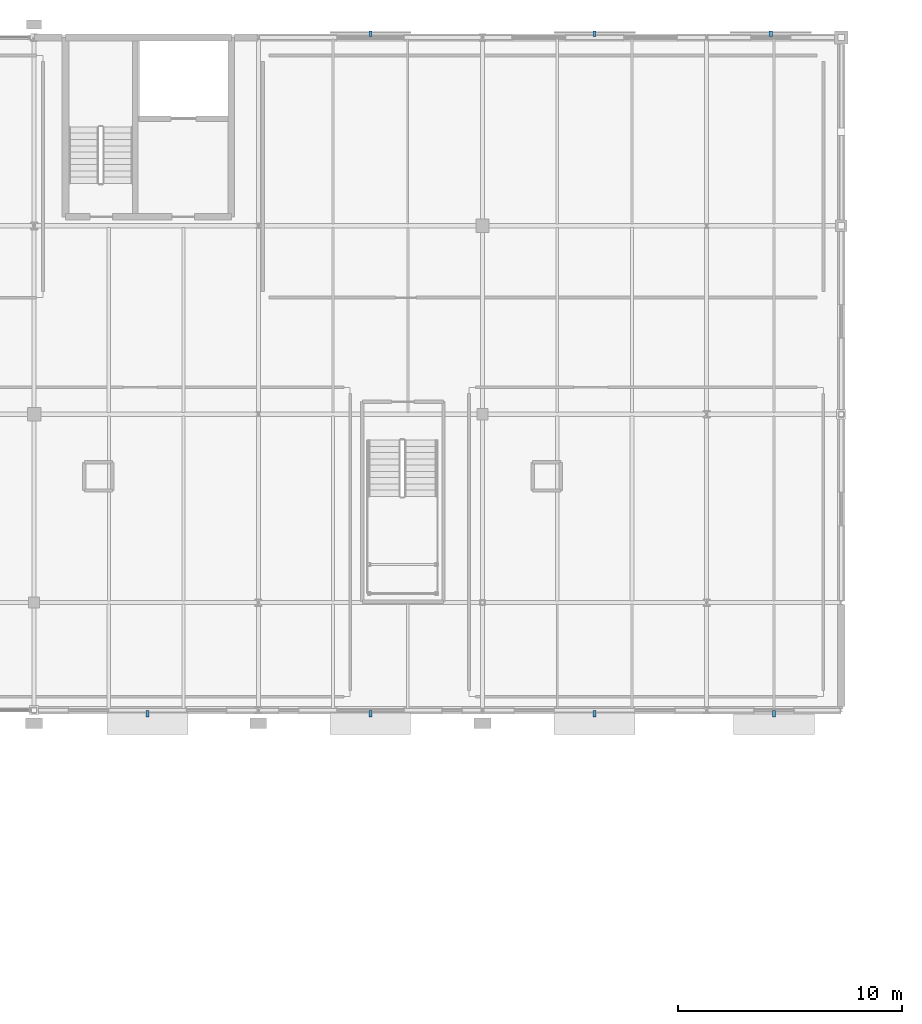
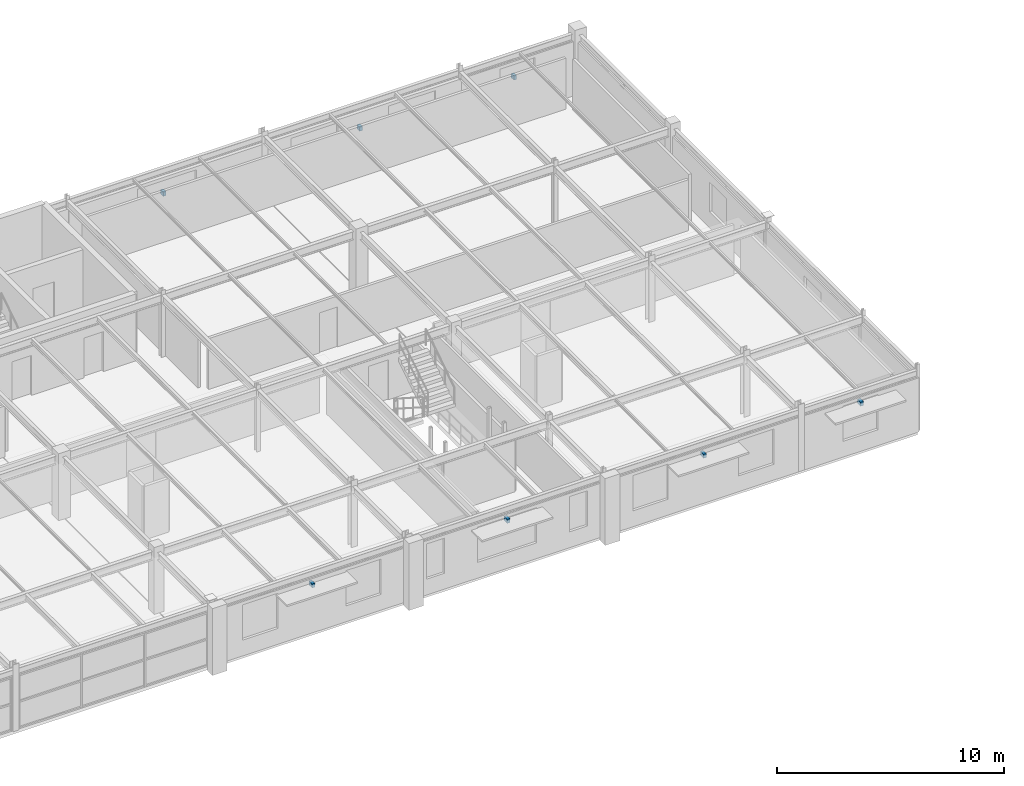
# One storey, part 104 of 109: 7 discrete accessories.
"""IFC4 building model written with IfcOpenShell, lengths in metres."""

import ifcopenshell
import ifcopenshell.guid

model = None  # the IFC model being written
_history = None  # IfcOwnerHistory: only IFC2X3 demands one
_inside = {}  # id of a spatial element -> (the spatial element, [elements in it])
_under = {}  # id of a project, library or spatial element -> (it, [spatial elements below it])
_declared = {}  # id of a project -> (the project, [libraries it declares])
_typed = {}  # id of a type object -> (the type object, [elements of that type])
_made_of = {}  # id of a material, layer set ... -> (it, [elements and type objects made of it])


def new_model(schema):
    """Start an empty IFC model of exactly this schema.

    Asked for "IFC4X3", IfcOpenShell would pick the latest addendum, in which some entities
    have other attributes; the version numbers below select the first issue.
    IFC2X3 requires an IfcOwnerHistory on every rooted entity: one is made here for all.
    """
    global model, _history
    if schema == "IFC4X3":
        model = ifcopenshell.file(schema_version=(4, 3, 0, 0))
    else:
        model = ifcopenshell.file(schema=schema)
    _inside.clear()
    _under.clear()
    _declared.clear()
    _typed.clear()
    _made_of.clear()
    _history = None
    if model.schema == "IFC2X3":
        org = make("IfcOrganization", Name="unknown")
        user = make(
            "IfcPersonAndOrganization",
            ThePerson=make("IfcPerson", FamilyName="unknown"),
            TheOrganization=org,
        )
        app = make(
            "IfcApplication",
            ApplicationDeveloper=org,
            Version="unknown",
            ApplicationFullName="unknown",
            ApplicationIdentifier="unknown",
        )
        _history = make(
            "IfcOwnerHistory",
            OwningUser=user,
            OwningApplication=app,
            ChangeAction="ADDED",
            CreationDate=0,
        )
    return model


def make(cls, **values):
    """One entity of the class cls with the attributes given. An attribute that is None is left unset."""
    return model.create_entity(
        cls, **{name: value for name, value in values.items() if value is not None}
    )


def rooted(cls, **values):
    """An entity with a GlobalId (a new one), such as an element, a storey or a relation."""
    return make(cls, GlobalId=ifcopenshell.guid.new(), OwnerHistory=_history, **values)


def si_unit(unit_type, name, prefix=None):
    """IfcSIUnit, for example si_unit("LENGTHUNIT", "METRE", prefix="MILLI")."""
    return make("IfcSIUnit", UnitType=unit_type, Prefix=prefix, Name=name)


def derived_unit(unit_type, elements):
    """IfcDerivedUnit: a product of units, each with its exponent."""
    return make(
        "IfcDerivedUnit",
        Elements=[
            make("IfcDerivedUnitElement", Unit=unit, Exponent=power)
            for unit, power in elements
        ],
        UnitType=unit_type,
    )


def assignment(units):
    """IfcUnitAssignment: the units of a project."""
    return None if units is None else make("IfcUnitAssignment", Units=units)


def point(xyz):
    """IfcCartesianPoint."""
    return None if xyz is None else make("IfcCartesianPoint", Coordinates=xyz)


def direction(xyz):
    """IfcDirection."""
    return None if xyz is None else make("IfcDirection", DirectionRatios=xyz)


def frame(location, z_axis=None, x_axis=None):
    """IfcAxis2Placement3D, a coordinate frame: its origin and axes. An axis left out is left unset."""
    return make(
        "IfcAxis2Placement3D",
        Location=point(location),
        Axis=direction(z_axis),
        RefDirection=direction(x_axis),
    )


def frame_2d(location, x_axis=None):
    """IfcAxis2Placement2D, a coordinate frame in the plane: its origin and x axis."""
    return make(
        "IfcAxis2Placement2D", Location=point(location), RefDirection=direction(x_axis)
    )


def origin():
    """The frame at (0, 0, 0) with its axes left unset."""
    return frame((0.0, 0.0, 0.0))


def origin_2d_with_axis():
    """The frame at (0, 0) in the plane with the x axis (1, 0) written out."""
    return frame_2d((0.0, 0.0), x_axis=(1.0, 0.0))


def place(relative_to, where):
    """IfcLocalPlacement: puts the frame where relative to a parent placement (None: the world)."""
    return make(
        "IfcLocalPlacement", PlacementRelTo=relative_to, RelativePlacement=where
    )


def context(
    kind, dimensions, precision=None, world=None, true_north=None, identifier=None
):
    """IfcGeometricRepresentationContext, for example the 3D "Model" context."""
    return make(
        "IfcGeometricRepresentationContext",
        ContextIdentifier=identifier,
        ContextType=kind,
        CoordinateSpaceDimension=dimensions,
        Precision=precision,
        WorldCoordinateSystem=world,
        TrueNorth=true_north,
    )


def subcontext(parent, identifier, kind, view, scale=None):
    """IfcGeometricRepresentationSubContext, for example "Body" below "Model"."""
    return make(
        "IfcGeometricRepresentationSubContext",
        ContextIdentifier=identifier,
        ContextType=kind,
        ParentContext=parent,
        TargetScale=scale,
        TargetView=view,
    )


def project(units=None, contexts=None):
    """IfcProject with its units and contexts."""
    return rooted(
        "IfcProject",
        Name="project",
        RepresentationContexts=contexts,
        UnitsInContext=assignment(units),
    )


def spatial(cls, under=None, at=None, **own):
    """A site, building, storey or space (cls), placed at a placement, below another one or the project."""
    s = rooted(cls, ObjectPlacement=at, **own)
    if under is not None:
        _under.setdefault(under.id(), (under, []))[1].append(s)
    return s


def profile(cls, at=None, kind="AREA", **sizes):
    """A parametric profile (cls). Its sizes go by their IFC names, for example OverallWidth=200.0."""
    return make(cls, ProfileType=kind, Position=at, **sizes)


def rectangle(**sizes):
    """IfcRectangleProfileDef."""
    return profile("IfcRectangleProfileDef", **sizes)


def extrude(swept, where, along, depth):
    """IfcExtrudedAreaSolid: the profile swept, set in the frame where, extruded along a direction by depth."""
    return make(
        "IfcExtrudedAreaSolid",
        SweptArea=swept,
        Position=where,
        ExtrudedDirection=direction(along),
        Depth=depth,
    )


def shape(context_of_items, identifier, shape_type, items):
    """IfcShapeRepresentation: the items that make up one representation, for example the "Body"."""
    return make(
        "IfcShapeRepresentation",
        ContextOfItems=context_of_items,
        RepresentationIdentifier=identifier,
        RepresentationType=shape_type,
        Items=items,
    )


def material(Name=None, Category=None):
    """IfcMaterial."""
    return make("IfcMaterial", Name=Name, Category=Category)


def made_of(thing, what):
    """Note that an element or type object is made of a material, layer set ...; save() writes the relation."""
    if what is not None:
        _made_of.setdefault(what.id(), (what, []))[1].append(thing)
    return thing


def type_object(cls, material=None, **own):
    """A type object (cls), such as IfcWallType, which elements share."""
    return made_of(rooted(cls, **own), material)


def element(
    cls,
    number,
    at=None,
    inside=None,
    cuts=None,
    type_object=None,
    material=None,
    context=None,
    identifier="Body",
    shape_type=None,
    held_by="IfcProductDefinitionShape",
    body=None,
    shapes=None,
    **own,
):
    """One element of the class cls, such as IfcWall. Its Tag is "e" and its number.

    at: its placement. inside: the storey or other place that contains it. cuts: it is an
    opening in that element (IfcRelVoidsElement). A single representation is given by context,
    identifier, shape_type and body (its items); several are given by shapes. held_by: the class
    of the entity that holds the representations. save() writes the other relations.
    """
    e = rooted(cls, Tag="e%d" % number, ObjectPlacement=at, **own)
    if body is not None:
        shapes = [shape(context, identifier, shape_type, body)]
    if shapes is not None:
        e.Representation = make(held_by, Representations=shapes)
    if inside is not None:
        _inside.setdefault(inside.id(), (inside, []))[1].append(e)
    if cuts is not None:
        rooted(
            "IfcRelVoidsElement", RelatingBuildingElement=cuts, RelatedOpeningElement=e
        )
    if type_object is not None:
        _typed.setdefault(type_object.id(), (type_object, []))[1].append(e)
    return made_of(e, material)


def aggregate(whole, parts):
    """IfcRelAggregates: a whole, such as a stair, and the parts it consists of."""
    return rooted("IfcRelAggregates", RelatingObject=whole, RelatedObjects=parts)


def save(model, path):
    """Write the relations noted so far, then the file.

    IfcRelAggregates (storeys below a building ...), IfcRelContainedInSpatialStructure (elements
    in a storey), IfcRelDefinesByType, IfcRelAssociatesMaterial and IfcRelDeclares: one each for
    every whole, place, type object, material and project.
    """
    for whole, parts in _under.values():
        aggregate(whole, parts)
    for where, things in _inside.values():
        rooted(
            "IfcRelContainedInSpatialStructure",
            RelatedElements=things,
            RelatingStructure=where,
        )
    for kind, things in _typed.values():
        rooted("IfcRelDefinesByType", RelatedObjects=things, RelatingType=kind)
    for what, things in _made_of.values():
        rooted("IfcRelAssociatesMaterial", RelatedObjects=things, RelatingMaterial=what)
    for by, libraries in _declared.values():
        rooted("IfcRelDeclares", RelatingContext=by, RelatedDefinitions=libraries)
    model.write(path)


model = new_model("IFC4")

# Units and contexts
model_context = context("Model", 3, precision=1e-05, world=origin(), true_north=direction((0.0, 1.0)))
body_context = subcontext(model_context, "Body", "Model", "MODEL_VIEW")
ifc_project = project(units=[si_unit("LENGTHUNIT", "METRE"), si_unit("AREAUNIT", "SQUARE_METRE"), si_unit("VOLUMEUNIT", "CUBIC_METRE"), si_unit("PLANEANGLEUNIT", "RADIAN"), si_unit("MASSUNIT", "GRAM", prefix="KILO"), derived_unit("THERMALTRANSMITTANCEUNIT", [(si_unit("POWERUNIT", "WATT"), 1), (si_unit("LENGTHUNIT", "METRE"), -2), (si_unit("THERMODYNAMICTEMPERATUREUNIT", "KELVIN"), -1)])], contexts=[model_context])

# Site, building, storey
site_placement = place(None, origin())
site = spatial("IfcSite", under=ifc_project, at=site_placement, CompositionType="ELEMENT")
building_placement = place(site_placement, origin())
building = spatial("IfcBuilding", under=site, at=building_placement, Name="Cinnabar Yard Market Hall", CompositionType="ELEMENT")
storey_placement = place(building_placement, frame((0.0, 0.0, 8.39990234375)))
storey = spatial("IfcBuildingStorey", under=building, at=storey_placement, Name="L02", CompositionType="ELEMENT", Elevation=8.39990234375)

# Discrete accessories
ifc_material = material(Name="Galvanised steel Grade 350 (350 MPa)", Category="steel")
discrete_accessory_type = type_object("IfcDiscreteAccessoryType", Name="ACC-BRK1", PredefinedType="BRACKET", material=ifc_material)
for number, where, z_axis, x_axis, name in (
    (1, (131.060302734375, 107.840087890625, 2.5302734375), (0.0, 0.0, 1.0), (1.0, 0.0, 0.0), "Chhajja Bracket V3S-L02-7"),
    (2, (141.0, 107.840087890625, 2.5302734375), (0.0, 0.0, 1.0), (1.0, 0.0, 0.0), "Chhajja Bracket V3S-L02-8"),
):
    element("IfcDiscreteAccessory", number, at=place(storey_placement, frame(where, z_axis=z_axis, x_axis=x_axis)), inside=storey, type_object=discrete_accessory_type, Name=name, PredefinedType="BRACKET", context=body_context, shape_type="SweptSolid", body=[
        extrude(rectangle(XDim=0.139892578125, YDim=0.280029296875, at=origin_2d_with_axis()), origin(), (0.0, 0.0, 1.0), 0.219970703125),
    ])
discrete_accessory_1_placement = place(storey_placement, frame((140.9990234375, 138.159912109375, 1.740234375), z_axis=(0.0, 0.0, 1.0), x_axis=(1.0, 0.0, 0.0)))
element("IfcDiscreteAccessory", 3, at=discrete_accessory_1_placement, inside=storey, type_object=discrete_accessory_type, Name="Jali Bracket V3N-L02-8", PredefinedType="BRACKET", context=body_context, shape_type="SweptSolid", body=[
    extrude(rectangle(XDim=0.139892578125, YDim=0.239990234375, at=origin_2d_with_axis()), origin(), (0.0, 0.0, 1.0), 0.219970703125),
])
discrete_accessory_2_placement = place(storey_placement, frame((150.99951171875, 107.840087890625, 2.5302734375), z_axis=(0.0, 0.0, 1.0), x_axis=(1.0, 0.0, 0.0)))
element("IfcDiscreteAccessory", 4, at=discrete_accessory_2_placement, inside=storey, type_object=discrete_accessory_type, Name="Chhajja Bracket V3S-L02-9", PredefinedType="BRACKET", context=body_context, shape_type="SweptSolid", body=[
    extrude(rectangle(XDim=0.139892578125, YDim=0.280029296875, at=origin_2d_with_axis()), origin(), (0.0, 0.0, 1.0), 0.219970703125),
])
discrete_accessory_3_placement = place(storey_placement, frame((151.0009765625, 138.159912109375, 1.740234375), z_axis=(0.0, 0.0, 1.0), x_axis=(1.0, 0.0, 0.0)))
element("IfcDiscreteAccessory", 5, at=discrete_accessory_3_placement, inside=storey, type_object=discrete_accessory_type, Name="Jali Bracket V3N-L02-9", PredefinedType="BRACKET", context=body_context, shape_type="SweptSolid", body=[
    extrude(rectangle(XDim=0.139892578125, YDim=0.239990234375, at=origin_2d_with_axis()), origin(), (0.0, 0.0, 1.0), 0.219970703125),
])
discrete_accessory_4_placement = place(storey_placement, frame((159.00048828125, 107.840087890625, 2.5302734375), z_axis=(0.0, 0.0, 1.0), x_axis=(1.0, 0.0, 0.0)))
element("IfcDiscreteAccessory", 6, at=discrete_accessory_4_placement, inside=storey, type_object=discrete_accessory_type, Name="Chhajja Bracket V3S-L02-10", PredefinedType="BRACKET", context=body_context, shape_type="SweptSolid", body=[
    extrude(rectangle(XDim=0.139892578125, YDim=0.280029296875, at=origin_2d_with_axis()), origin(), (0.0, 0.0, 1.0), 0.219970703125),
])
discrete_accessory_5_placement = place(storey_placement, frame((158.85302734375, 138.159912109375, 1.740234375), z_axis=(0.0, 0.0, 1.0), x_axis=(1.0, 0.0, 0.0)))
element("IfcDiscreteAccessory", 7, at=discrete_accessory_5_placement, inside=storey, type_object=discrete_accessory_type, Name="Jali Bracket V3N-L02-10", PredefinedType="BRACKET", context=body_context, shape_type="SweptSolid", body=[
    extrude(rectangle(XDim=0.139892578125, YDim=0.239990234375, at=origin_2d_with_axis()), origin(), (0.0, 0.0, 1.0), 0.219970703125),
])

save(model, "model.ifc")
